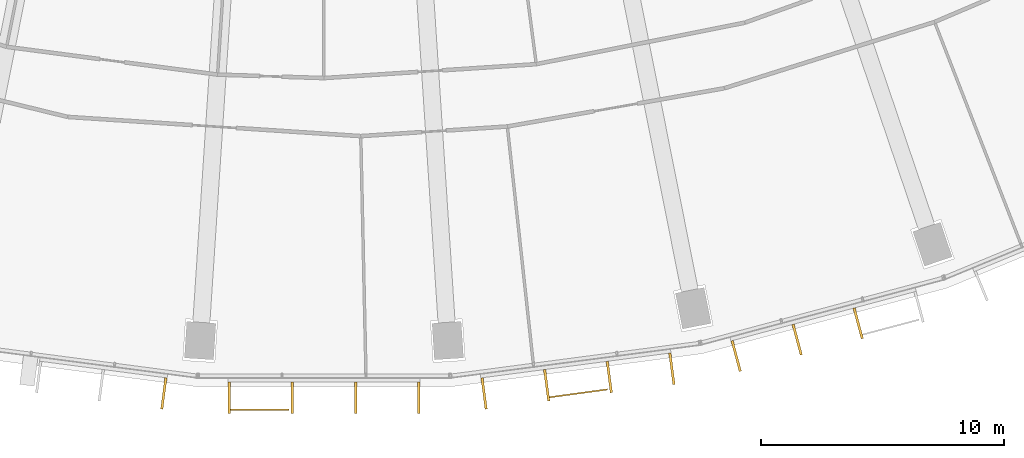
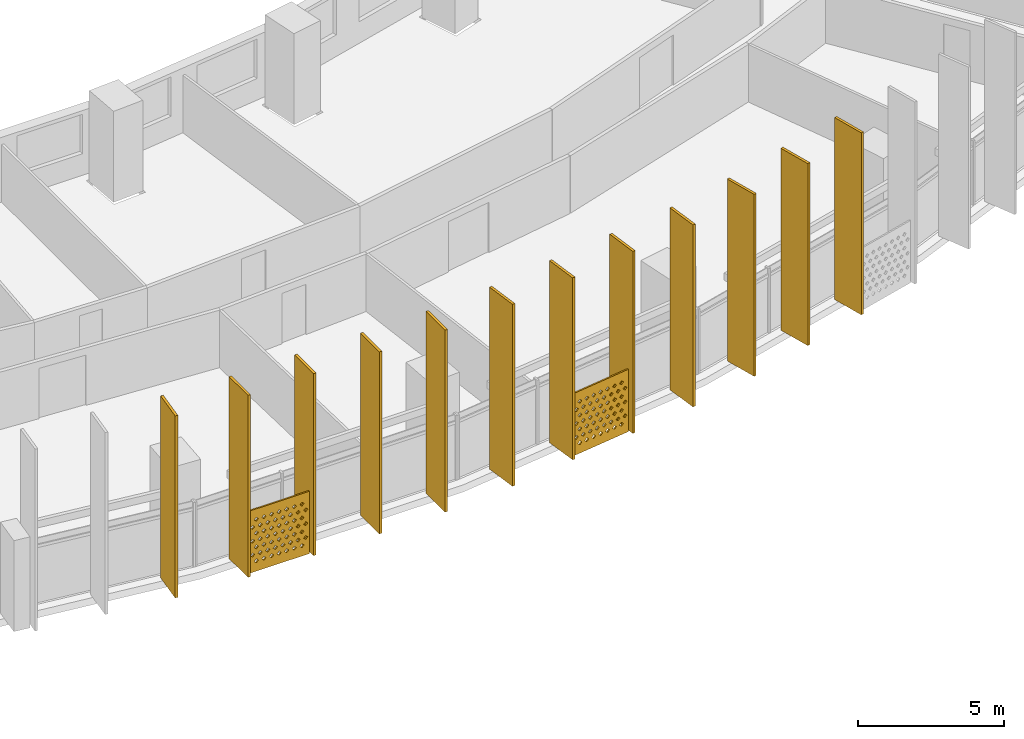
# One storey, part 28 of 33: 14 shading devices.
"""IFC4 building model written with IfcOpenShell, lengths in metres."""

from ifc_helpers import new_model, si_unit, direction, frame, origin, origin_2d, place, context, subcontext, project, spatial, polyline, rectangle, outline, extrude, material, material_profile, profile_set, type_object, element, save


model = new_model("IFC4")

# Units and contexts
model_context = context("Model", 3, precision=1e-05, world=origin(), true_north=direction((0.0, 1.0)))
body_context = subcontext(model_context, "Body", "Model", "MODEL_VIEW")
ifc_project = project(units=[si_unit("LENGTHUNIT", "METRE"), si_unit("AREAUNIT", "SQUARE_METRE"), si_unit("VOLUMEUNIT", "CUBIC_METRE"), si_unit("PLANEANGLEUNIT", "RADIAN"), si_unit("MASSUNIT", "GRAM", prefix="KILO")], contexts=[model_context])

# Site, building, storey
site_placement = place(None, origin())
site = spatial("IfcSite", under=ifc_project, at=site_placement, CompositionType="ELEMENT")
building_placement = place(site_placement, origin())
building = spatial("IfcBuilding", under=site, at=building_placement, Name="Qamariyya Broadcast Tower", CompositionType="ELEMENT")
storey_placement = place(building_placement, frame((0.0, 0.0, 94.89990234375)))
storey = spatial("IfcBuildingStorey", under=building, at=storey_placement, Name="L20", CompositionType="ELEMENT", Elevation=94.89990234375)

# Shading devices
ifc_material_1 = material(Name="Perforated glazed terracotta", Category="masonry")
ifc_material_profile_1 = material_profile(ifc_material_1, outline(polyline([(-1.199951171875, -1.300048828125), (1.199951171875, -1.300048828125), (1.199951171875, 1.300048828125), (-1.199951171875, 1.300048828125), (-1.199951171875, -1.300048828125)]), holes=[polyline([(-0.81494140625, -0.86669921875), (-0.89990234375, -0.78173828125), (-0.985107421875, -0.86669921875), (-0.89990234375, -0.95166015625), (-0.81494140625, -0.86669921875)]), polyline([(-0.514892578125, -0.86669921875), (-0.60009765625, -0.78173828125), (-0.68505859375, -0.86669921875), (-0.60009765625, -0.95166015625), (-0.514892578125, -0.86669921875)]), polyline([(-0.215087890625, -0.86669921875), (-0.300048828125, -0.78173828125), (-0.385009765625, -0.86669921875), (-0.300048828125, -0.95166015625), (-0.215087890625, -0.86669921875)]), polyline([(0.0849609375, -0.86669921875), (0.0, -0.78173828125), (-0.0849609375, -0.86669921875), (0.0, -0.95166015625), (0.0849609375, -0.86669921875)]), polyline([(0.385009765625, -0.86669921875), (0.300048828125, -0.78173828125), (0.215087890625, -0.86669921875), (0.300048828125, -0.95166015625), (0.385009765625, -0.86669921875)]), polyline([(0.68505859375, -0.86669921875), (0.60009765625, -0.78173828125), (0.514892578125, -0.86669921875), (0.60009765625, -0.95166015625), (0.68505859375, -0.86669921875)]), polyline([(0.985107421875, -0.86669921875), (0.89990234375, -0.78173828125), (0.81494140625, -0.86669921875), (0.89990234375, -0.95166015625), (0.985107421875, -0.86669921875)]), polyline([(-0.965087890625, -0.577880859375), (-1.050048828125, -0.49267578125), (-1.135009765625, -0.577880859375), (-1.050048828125, -0.662841796875), (-0.965087890625, -0.577880859375)]), polyline([(-0.6650390625, -0.577880859375), (-0.75, -0.49267578125), (-0.8349609375, -0.577880859375), (-0.75, -0.662841796875), (-0.6650390625, -0.577880859375)]), polyline([(-0.364990234375, -0.577880859375), (-0.449951171875, -0.49267578125), (-0.534912109375, -0.577880859375), (-0.449951171875, -0.662841796875), (-0.364990234375, -0.577880859375)]), polyline([(-0.06494140625, -0.577880859375), (-0.14990234375, -0.49267578125), (-0.235107421875, -0.577880859375), (-0.14990234375, -0.662841796875), (-0.06494140625, -0.577880859375)]), polyline([(0.235107421875, -0.577880859375), (0.14990234375, -0.49267578125), (0.06494140625, -0.577880859375), (0.14990234375, -0.662841796875), (0.235107421875, -0.577880859375)]), polyline([(0.534912109375, -0.577880859375), (0.449951171875, -0.49267578125), (0.364990234375, -0.577880859375), (0.449951171875, -0.662841796875), (0.534912109375, -0.577880859375)]), polyline([(0.8349609375, -0.577880859375), (0.75, -0.49267578125), (0.6650390625, -0.577880859375), (0.75, -0.662841796875), (0.8349609375, -0.577880859375)]), polyline([(1.135009765625, -0.577880859375), (1.050048828125, -0.49267578125), (0.965087890625, -0.577880859375), (1.050048828125, -0.662841796875), (1.135009765625, -0.577880859375)]), polyline([(-0.81494140625, -0.288818359375), (-0.89990234375, -0.203857421875), (-0.985107421875, -0.288818359375), (-0.89990234375, -0.373779296875), (-0.81494140625, -0.288818359375)]), polyline([(-0.514892578125, -0.288818359375), (-0.60009765625, -0.203857421875), (-0.68505859375, -0.288818359375), (-0.60009765625, -0.373779296875), (-0.514892578125, -0.288818359375)]), polyline([(-0.215087890625, -0.288818359375), (-0.300048828125, -0.203857421875), (-0.385009765625, -0.288818359375), (-0.300048828125, -0.373779296875), (-0.215087890625, -0.288818359375)]), polyline([(0.0849609375, -0.288818359375), (0.0, -0.203857421875), (-0.0849609375, -0.288818359375), (0.0, -0.373779296875), (0.0849609375, -0.288818359375)]), polyline([(0.385009765625, -0.288818359375), (0.300048828125, -0.203857421875), (0.215087890625, -0.288818359375), (0.300048828125, -0.373779296875), (0.385009765625, -0.288818359375)]), polyline([(0.68505859375, -0.288818359375), (0.60009765625, -0.203857421875), (0.514892578125, -0.288818359375), (0.60009765625, -0.373779296875), (0.68505859375, -0.288818359375)]), polyline([(0.985107421875, -0.288818359375), (0.89990234375, -0.203857421875), (0.81494140625, -0.288818359375), (0.89990234375, -0.373779296875), (0.985107421875, -0.288818359375)]), polyline([(-0.965087890625, 0.0), (-1.050048828125, 0.0849609375), (-1.135009765625, 0.0), (-1.050048828125, -0.0849609375), (-0.965087890625, 0.0)]), polyline([(-0.6650390625, 0.0), (-0.75, 0.0849609375), (-0.8349609375, 0.0), (-0.75, -0.0849609375), (-0.6650390625, 0.0)]), polyline([(-0.364990234375, 0.0), (-0.449951171875, 0.0849609375), (-0.534912109375, 0.0), (-0.449951171875, -0.0849609375), (-0.364990234375, 0.0)]), polyline([(-0.06494140625, 0.0), (-0.14990234375, 0.0849609375), (-0.235107421875, 0.0), (-0.14990234375, -0.0849609375), (-0.06494140625, 0.0)]), polyline([(0.235107421875, 0.0), (0.14990234375, 0.0849609375), (0.06494140625, 0.0), (0.14990234375, -0.0849609375), (0.235107421875, 0.0)]), polyline([(0.534912109375, 0.0), (0.449951171875, 0.0849609375), (0.364990234375, 0.0), (0.449951171875, -0.0849609375), (0.534912109375, 0.0)]), polyline([(0.8349609375, 0.0), (0.75, 0.0849609375), (0.6650390625, 0.0), (0.75, -0.0849609375), (0.8349609375, 0.0)]), polyline([(1.135009765625, 0.0), (1.050048828125, 0.0849609375), (0.965087890625, 0.0), (1.050048828125, -0.0849609375), (1.135009765625, 0.0)]), polyline([(-0.81494140625, 0.288818359375), (-0.89990234375, 0.373779296875), (-0.985107421875, 0.288818359375), (-0.89990234375, 0.203857421875), (-0.81494140625, 0.288818359375)]), polyline([(-0.514892578125, 0.288818359375), (-0.60009765625, 0.373779296875), (-0.68505859375, 0.288818359375), (-0.60009765625, 0.203857421875), (-0.514892578125, 0.288818359375)]), polyline([(-0.215087890625, 0.288818359375), (-0.300048828125, 0.373779296875), (-0.385009765625, 0.288818359375), (-0.300048828125, 0.203857421875), (-0.215087890625, 0.288818359375)]), polyline([(0.0849609375, 0.288818359375), (0.0, 0.373779296875), (-0.0849609375, 0.288818359375), (0.0, 0.203857421875), (0.0849609375, 0.288818359375)]), polyline([(0.385009765625, 0.288818359375), (0.300048828125, 0.373779296875), (0.215087890625, 0.288818359375), (0.300048828125, 0.203857421875), (0.385009765625, 0.288818359375)]), polyline([(0.68505859375, 0.288818359375), (0.60009765625, 0.373779296875), (0.514892578125, 0.288818359375), (0.60009765625, 0.203857421875), (0.68505859375, 0.288818359375)]), polyline([(0.985107421875, 0.288818359375), (0.89990234375, 0.373779296875), (0.81494140625, 0.288818359375), (0.89990234375, 0.203857421875), (0.985107421875, 0.288818359375)]), polyline([(-0.965087890625, 0.577880859375), (-1.050048828125, 0.662841796875), (-1.135009765625, 0.577880859375), (-1.050048828125, 0.49267578125), (-0.965087890625, 0.577880859375)]), polyline([(-0.6650390625, 0.577880859375), (-0.75, 0.662841796875), (-0.8349609375, 0.577880859375), (-0.75, 0.49267578125), (-0.6650390625, 0.577880859375)]), polyline([(-0.364990234375, 0.577880859375), (-0.449951171875, 0.662841796875), (-0.534912109375, 0.577880859375), (-0.449951171875, 0.49267578125), (-0.364990234375, 0.577880859375)]), polyline([(-0.06494140625, 0.577880859375), (-0.14990234375, 0.662841796875), (-0.235107421875, 0.577880859375), (-0.14990234375, 0.49267578125), (-0.06494140625, 0.577880859375)]), polyline([(0.235107421875, 0.577880859375), (0.14990234375, 0.662841796875), (0.06494140625, 0.577880859375), (0.14990234375, 0.49267578125), (0.235107421875, 0.577880859375)]), polyline([(0.534912109375, 0.577880859375), (0.449951171875, 0.662841796875), (0.364990234375, 0.577880859375), (0.449951171875, 0.49267578125), (0.534912109375, 0.577880859375)]), polyline([(0.8349609375, 0.577880859375), (0.75, 0.662841796875), (0.6650390625, 0.577880859375), (0.75, 0.49267578125), (0.8349609375, 0.577880859375)]), polyline([(1.135009765625, 0.577880859375), (1.050048828125, 0.662841796875), (0.965087890625, 0.577880859375), (1.050048828125, 0.49267578125), (1.135009765625, 0.577880859375)]), polyline([(-0.81494140625, 0.86669921875), (-0.89990234375, 0.95166015625), (-0.985107421875, 0.86669921875), (-0.89990234375, 0.78173828125), (-0.81494140625, 0.86669921875)]), polyline([(-0.514892578125, 0.86669921875), (-0.60009765625, 0.95166015625), (-0.68505859375, 0.86669921875), (-0.60009765625, 0.78173828125), (-0.514892578125, 0.86669921875)]), polyline([(-0.215087890625, 0.86669921875), (-0.300048828125, 0.95166015625), (-0.385009765625, 0.86669921875), (-0.300048828125, 0.78173828125), (-0.215087890625, 0.86669921875)]), polyline([(0.0849609375, 0.86669921875), (0.0, 0.95166015625), (-0.0849609375, 0.86669921875), (0.0, 0.78173828125), (0.0849609375, 0.86669921875)]), polyline([(0.385009765625, 0.86669921875), (0.300048828125, 0.95166015625), (0.215087890625, 0.86669921875), (0.300048828125, 0.78173828125), (0.385009765625, 0.86669921875)]), polyline([(0.68505859375, 0.86669921875), (0.60009765625, 0.95166015625), (0.514892578125, 0.86669921875), (0.60009765625, 0.78173828125), (0.68505859375, 0.86669921875)]), polyline([(0.985107421875, 0.86669921875), (0.89990234375, 0.95166015625), (0.81494140625, 0.86669921875), (0.89990234375, 0.78173828125), (0.985107421875, 0.86669921875)])]))
ifc_profile_set_1 = profile_set([ifc_material_profile_1], Name="Perforated glazed terracotta")
shading_device_type_1 = type_object("IfcShadingDeviceType", Name="Perforated terracotta screen 2400 x 2600", PredefinedType="USERDEFINED", material=ifc_profile_set_1)
shading_device_1_placement = place(storey_placement, frame((-2.639892578125, -80.400146484375, 1.35009765625), z_axis=(0.0, -1.0, 0.0), x_axis=(1.0, 0.0, 0.0)))
element("IfcShadingDevice", 1, at=shading_device_1_placement, inside=storey, type_object=shading_device_type_1, Name="e-scr-L20-09-0", ObjectType="SCREEN", PredefinedType="USERDEFINED", context=body_context, shape_type="SweptSolid", body=[
    extrude(outline(polyline([(-1.199951171875, -1.300048828125), (1.199951171875, -1.300048828125), (1.199951171875, 1.300048828125), (-1.199951171875, 1.300048828125), (-1.199951171875, -1.300048828125)]), holes=[polyline([(-0.81494140625, -0.86669921875), (-0.89990234375, -0.78173828125), (-0.985107421875, -0.86669921875), (-0.89990234375, -0.95166015625), (-0.81494140625, -0.86669921875)]), polyline([(-0.514892578125, -0.86669921875), (-0.60009765625, -0.78173828125), (-0.68505859375, -0.86669921875), (-0.60009765625, -0.95166015625), (-0.514892578125, -0.86669921875)]), polyline([(-0.215087890625, -0.86669921875), (-0.300048828125, -0.78173828125), (-0.385009765625, -0.86669921875), (-0.300048828125, -0.95166015625), (-0.215087890625, -0.86669921875)]), polyline([(0.0849609375, -0.86669921875), (0.0, -0.78173828125), (-0.0849609375, -0.86669921875), (0.0, -0.95166015625), (0.0849609375, -0.86669921875)]), polyline([(0.385009765625, -0.86669921875), (0.300048828125, -0.78173828125), (0.215087890625, -0.86669921875), (0.300048828125, -0.95166015625), (0.385009765625, -0.86669921875)]), polyline([(0.68505859375, -0.86669921875), (0.60009765625, -0.78173828125), (0.514892578125, -0.86669921875), (0.60009765625, -0.95166015625), (0.68505859375, -0.86669921875)]), polyline([(0.985107421875, -0.86669921875), (0.89990234375, -0.78173828125), (0.81494140625, -0.86669921875), (0.89990234375, -0.95166015625), (0.985107421875, -0.86669921875)]), polyline([(-0.965087890625, -0.577880859375), (-1.050048828125, -0.49267578125), (-1.135009765625, -0.577880859375), (-1.050048828125, -0.662841796875), (-0.965087890625, -0.577880859375)]), polyline([(-0.6650390625, -0.577880859375), (-0.75, -0.49267578125), (-0.8349609375, -0.577880859375), (-0.75, -0.662841796875), (-0.6650390625, -0.577880859375)]), polyline([(-0.364990234375, -0.577880859375), (-0.449951171875, -0.49267578125), (-0.534912109375, -0.577880859375), (-0.449951171875, -0.662841796875), (-0.364990234375, -0.577880859375)]), polyline([(-0.06494140625, -0.577880859375), (-0.14990234375, -0.49267578125), (-0.235107421875, -0.577880859375), (-0.14990234375, -0.662841796875), (-0.06494140625, -0.577880859375)]), polyline([(0.235107421875, -0.577880859375), (0.14990234375, -0.49267578125), (0.06494140625, -0.577880859375), (0.14990234375, -0.662841796875), (0.235107421875, -0.577880859375)]), polyline([(0.534912109375, -0.577880859375), (0.449951171875, -0.49267578125), (0.364990234375, -0.577880859375), (0.449951171875, -0.662841796875), (0.534912109375, -0.577880859375)]), polyline([(0.8349609375, -0.577880859375), (0.75, -0.49267578125), (0.6650390625, -0.577880859375), (0.75, -0.662841796875), (0.8349609375, -0.577880859375)]), polyline([(1.135009765625, -0.577880859375), (1.050048828125, -0.49267578125), (0.965087890625, -0.577880859375), (1.050048828125, -0.662841796875), (1.135009765625, -0.577880859375)]), polyline([(-0.81494140625, -0.288818359375), (-0.89990234375, -0.203857421875), (-0.985107421875, -0.288818359375), (-0.89990234375, -0.373779296875), (-0.81494140625, -0.288818359375)]), polyline([(-0.514892578125, -0.288818359375), (-0.60009765625, -0.203857421875), (-0.68505859375, -0.288818359375), (-0.60009765625, -0.373779296875), (-0.514892578125, -0.288818359375)]), polyline([(-0.215087890625, -0.288818359375), (-0.300048828125, -0.203857421875), (-0.385009765625, -0.288818359375), (-0.300048828125, -0.373779296875), (-0.215087890625, -0.288818359375)]), polyline([(0.0849609375, -0.288818359375), (0.0, -0.203857421875), (-0.0849609375, -0.288818359375), (0.0, -0.373779296875), (0.0849609375, -0.288818359375)]), polyline([(0.385009765625, -0.288818359375), (0.300048828125, -0.203857421875), (0.215087890625, -0.288818359375), (0.300048828125, -0.373779296875), (0.385009765625, -0.288818359375)]), polyline([(0.68505859375, -0.288818359375), (0.60009765625, -0.203857421875), (0.514892578125, -0.288818359375), (0.60009765625, -0.373779296875), (0.68505859375, -0.288818359375)]), polyline([(0.985107421875, -0.288818359375), (0.89990234375, -0.203857421875), (0.81494140625, -0.288818359375), (0.89990234375, -0.373779296875), (0.985107421875, -0.288818359375)]), polyline([(-0.965087890625, 0.0), (-1.050048828125, 0.0849609375), (-1.135009765625, 0.0), (-1.050048828125, -0.0849609375), (-0.965087890625, 0.0)]), polyline([(-0.6650390625, 0.0), (-0.75, 0.0849609375), (-0.8349609375, 0.0), (-0.75, -0.0849609375), (-0.6650390625, 0.0)]), polyline([(-0.364990234375, 0.0), (-0.449951171875, 0.0849609375), (-0.534912109375, 0.0), (-0.449951171875, -0.0849609375), (-0.364990234375, 0.0)]), polyline([(-0.06494140625, 0.0), (-0.14990234375, 0.0849609375), (-0.235107421875, 0.0), (-0.14990234375, -0.0849609375), (-0.06494140625, 0.0)]), polyline([(0.235107421875, 0.0), (0.14990234375, 0.0849609375), (0.06494140625, 0.0), (0.14990234375, -0.0849609375), (0.235107421875, 0.0)]), polyline([(0.534912109375, 0.0), (0.449951171875, 0.0849609375), (0.364990234375, 0.0), (0.449951171875, -0.0849609375), (0.534912109375, 0.0)]), polyline([(0.8349609375, 0.0), (0.75, 0.0849609375), (0.6650390625, 0.0), (0.75, -0.0849609375), (0.8349609375, 0.0)]), polyline([(1.135009765625, 0.0), (1.050048828125, 0.0849609375), (0.965087890625, 0.0), (1.050048828125, -0.0849609375), (1.135009765625, 0.0)]), polyline([(-0.81494140625, 0.288818359375), (-0.89990234375, 0.373779296875), (-0.985107421875, 0.288818359375), (-0.89990234375, 0.203857421875), (-0.81494140625, 0.288818359375)]), polyline([(-0.514892578125, 0.288818359375), (-0.60009765625, 0.373779296875), (-0.68505859375, 0.288818359375), (-0.60009765625, 0.203857421875), (-0.514892578125, 0.288818359375)]), polyline([(-0.215087890625, 0.288818359375), (-0.300048828125, 0.373779296875), (-0.385009765625, 0.288818359375), (-0.300048828125, 0.203857421875), (-0.215087890625, 0.288818359375)]), polyline([(0.0849609375, 0.288818359375), (0.0, 0.373779296875), (-0.0849609375, 0.288818359375), (0.0, 0.203857421875), (0.0849609375, 0.288818359375)]), polyline([(0.385009765625, 0.288818359375), (0.300048828125, 0.373779296875), (0.215087890625, 0.288818359375), (0.300048828125, 0.203857421875), (0.385009765625, 0.288818359375)]), polyline([(0.68505859375, 0.288818359375), (0.60009765625, 0.373779296875), (0.514892578125, 0.288818359375), (0.60009765625, 0.203857421875), (0.68505859375, 0.288818359375)]), polyline([(0.985107421875, 0.288818359375), (0.89990234375, 0.373779296875), (0.81494140625, 0.288818359375), (0.89990234375, 0.203857421875), (0.985107421875, 0.288818359375)]), polyline([(-0.965087890625, 0.577880859375), (-1.050048828125, 0.662841796875), (-1.135009765625, 0.577880859375), (-1.050048828125, 0.49267578125), (-0.965087890625, 0.577880859375)]), polyline([(-0.6650390625, 0.577880859375), (-0.75, 0.662841796875), (-0.8349609375, 0.577880859375), (-0.75, 0.49267578125), (-0.6650390625, 0.577880859375)]), polyline([(-0.364990234375, 0.577880859375), (-0.449951171875, 0.662841796875), (-0.534912109375, 0.577880859375), (-0.449951171875, 0.49267578125), (-0.364990234375, 0.577880859375)]), polyline([(-0.06494140625, 0.577880859375), (-0.14990234375, 0.662841796875), (-0.235107421875, 0.577880859375), (-0.14990234375, 0.49267578125), (-0.06494140625, 0.577880859375)]), polyline([(0.235107421875, 0.577880859375), (0.14990234375, 0.662841796875), (0.06494140625, 0.577880859375), (0.14990234375, 0.49267578125), (0.235107421875, 0.577880859375)]), polyline([(0.534912109375, 0.577880859375), (0.449951171875, 0.662841796875), (0.364990234375, 0.577880859375), (0.449951171875, 0.49267578125), (0.534912109375, 0.577880859375)]), polyline([(0.8349609375, 0.577880859375), (0.75, 0.662841796875), (0.6650390625, 0.577880859375), (0.75, 0.49267578125), (0.8349609375, 0.577880859375)]), polyline([(1.135009765625, 0.577880859375), (1.050048828125, 0.662841796875), (0.965087890625, 0.577880859375), (1.050048828125, 0.49267578125), (1.135009765625, 0.577880859375)]), polyline([(-0.81494140625, 0.86669921875), (-0.89990234375, 0.95166015625), (-0.985107421875, 0.86669921875), (-0.89990234375, 0.78173828125), (-0.81494140625, 0.86669921875)]), polyline([(-0.514892578125, 0.86669921875), (-0.60009765625, 0.95166015625), (-0.68505859375, 0.86669921875), (-0.60009765625, 0.78173828125), (-0.514892578125, 0.86669921875)]), polyline([(-0.215087890625, 0.86669921875), (-0.300048828125, 0.95166015625), (-0.385009765625, 0.86669921875), (-0.300048828125, 0.78173828125), (-0.215087890625, 0.86669921875)]), polyline([(0.0849609375, 0.86669921875), (0.0, 0.95166015625), (-0.0849609375, 0.86669921875), (0.0, 0.78173828125), (0.0849609375, 0.86669921875)]), polyline([(0.385009765625, 0.86669921875), (0.300048828125, 0.95166015625), (0.215087890625, 0.86669921875), (0.300048828125, 0.78173828125), (0.385009765625, 0.86669921875)]), polyline([(0.68505859375, 0.86669921875), (0.60009765625, 0.95166015625), (0.514892578125, 0.86669921875), (0.60009765625, 0.78173828125), (0.68505859375, 0.86669921875)]), polyline([(0.985107421875, 0.86669921875), (0.89990234375, 0.95166015625), (0.81494140625, 0.86669921875), (0.89990234375, 0.78173828125), (0.985107421875, 0.86669921875)])]), origin(), (0.0, 0.0, 1.0), 0.06005859375),
])
shading_device_2_placement = place(storey_placement, frame((10.447998046875, -79.718505859375, 1.35009765625), z_axis=(0.13456727237, -0.990904460181, 0.0), x_axis=(0.990904460181, 0.13456727237, 0.0)))
element("IfcShadingDevice", 2, at=shading_device_2_placement, inside=storey, type_object=shading_device_type_1, Name="e-scr-L20-10-1", ObjectType="SCREEN", PredefinedType="USERDEFINED", context=body_context, shape_type="SweptSolid", body=[
    extrude(outline(polyline([(-1.199951171875, -1.300048828125), (1.199951171875, -1.300048828125), (1.199951171875, 1.300048828125), (-1.199951171875, 1.300048828125), (-1.199951171875, -1.300048828125)]), holes=[polyline([(-0.81494140625, -0.86669921875), (-0.89990234375, -0.78173828125), (-0.985107421875, -0.86669921875), (-0.89990234375, -0.95166015625), (-0.81494140625, -0.86669921875)]), polyline([(-0.514892578125, -0.86669921875), (-0.60009765625, -0.78173828125), (-0.68505859375, -0.86669921875), (-0.60009765625, -0.95166015625), (-0.514892578125, -0.86669921875)]), polyline([(-0.215087890625, -0.86669921875), (-0.300048828125, -0.78173828125), (-0.385009765625, -0.86669921875), (-0.300048828125, -0.95166015625), (-0.215087890625, -0.86669921875)]), polyline([(0.0849609375, -0.86669921875), (0.0, -0.78173828125), (-0.0849609375, -0.86669921875), (0.0, -0.95166015625), (0.0849609375, -0.86669921875)]), polyline([(0.385009765625, -0.86669921875), (0.300048828125, -0.78173828125), (0.215087890625, -0.86669921875), (0.300048828125, -0.95166015625), (0.385009765625, -0.86669921875)]), polyline([(0.68505859375, -0.86669921875), (0.60009765625, -0.78173828125), (0.514892578125, -0.86669921875), (0.60009765625, -0.95166015625), (0.68505859375, -0.86669921875)]), polyline([(0.985107421875, -0.86669921875), (0.89990234375, -0.78173828125), (0.81494140625, -0.86669921875), (0.89990234375, -0.95166015625), (0.985107421875, -0.86669921875)]), polyline([(-0.965087890625, -0.577880859375), (-1.050048828125, -0.49267578125), (-1.135009765625, -0.577880859375), (-1.050048828125, -0.662841796875), (-0.965087890625, -0.577880859375)]), polyline([(-0.6650390625, -0.577880859375), (-0.75, -0.49267578125), (-0.8349609375, -0.577880859375), (-0.75, -0.662841796875), (-0.6650390625, -0.577880859375)]), polyline([(-0.364990234375, -0.577880859375), (-0.449951171875, -0.49267578125), (-0.534912109375, -0.577880859375), (-0.449951171875, -0.662841796875), (-0.364990234375, -0.577880859375)]), polyline([(-0.06494140625, -0.577880859375), (-0.14990234375, -0.49267578125), (-0.235107421875, -0.577880859375), (-0.14990234375, -0.662841796875), (-0.06494140625, -0.577880859375)]), polyline([(0.235107421875, -0.577880859375), (0.14990234375, -0.49267578125), (0.06494140625, -0.577880859375), (0.14990234375, -0.662841796875), (0.235107421875, -0.577880859375)]), polyline([(0.534912109375, -0.577880859375), (0.449951171875, -0.49267578125), (0.364990234375, -0.577880859375), (0.449951171875, -0.662841796875), (0.534912109375, -0.577880859375)]), polyline([(0.8349609375, -0.577880859375), (0.75, -0.49267578125), (0.6650390625, -0.577880859375), (0.75, -0.662841796875), (0.8349609375, -0.577880859375)]), polyline([(1.135009765625, -0.577880859375), (1.050048828125, -0.49267578125), (0.965087890625, -0.577880859375), (1.050048828125, -0.662841796875), (1.135009765625, -0.577880859375)]), polyline([(-0.81494140625, -0.288818359375), (-0.89990234375, -0.203857421875), (-0.985107421875, -0.288818359375), (-0.89990234375, -0.373779296875), (-0.81494140625, -0.288818359375)]), polyline([(-0.514892578125, -0.288818359375), (-0.60009765625, -0.203857421875), (-0.68505859375, -0.288818359375), (-0.60009765625, -0.373779296875), (-0.514892578125, -0.288818359375)]), polyline([(-0.215087890625, -0.288818359375), (-0.300048828125, -0.203857421875), (-0.385009765625, -0.288818359375), (-0.300048828125, -0.373779296875), (-0.215087890625, -0.288818359375)]), polyline([(0.0849609375, -0.288818359375), (0.0, -0.203857421875), (-0.0849609375, -0.288818359375), (0.0, -0.373779296875), (0.0849609375, -0.288818359375)]), polyline([(0.385009765625, -0.288818359375), (0.300048828125, -0.203857421875), (0.215087890625, -0.288818359375), (0.300048828125, -0.373779296875), (0.385009765625, -0.288818359375)]), polyline([(0.68505859375, -0.288818359375), (0.60009765625, -0.203857421875), (0.514892578125, -0.288818359375), (0.60009765625, -0.373779296875), (0.68505859375, -0.288818359375)]), polyline([(0.985107421875, -0.288818359375), (0.89990234375, -0.203857421875), (0.81494140625, -0.288818359375), (0.89990234375, -0.373779296875), (0.985107421875, -0.288818359375)]), polyline([(-0.965087890625, 0.0), (-1.050048828125, 0.0849609375), (-1.135009765625, 0.0), (-1.050048828125, -0.0849609375), (-0.965087890625, 0.0)]), polyline([(-0.6650390625, 0.0), (-0.75, 0.0849609375), (-0.8349609375, 0.0), (-0.75, -0.0849609375), (-0.6650390625, 0.0)]), polyline([(-0.364990234375, 0.0), (-0.449951171875, 0.0849609375), (-0.534912109375, 0.0), (-0.449951171875, -0.0849609375), (-0.364990234375, 0.0)]), polyline([(-0.06494140625, 0.0), (-0.14990234375, 0.0849609375), (-0.235107421875, 0.0), (-0.14990234375, -0.0849609375), (-0.06494140625, 0.0)]), polyline([(0.235107421875, 0.0), (0.14990234375, 0.0849609375), (0.06494140625, 0.0), (0.14990234375, -0.0849609375), (0.235107421875, 0.0)]), polyline([(0.534912109375, 0.0), (0.449951171875, 0.0849609375), (0.364990234375, 0.0), (0.449951171875, -0.0849609375), (0.534912109375, 0.0)]), polyline([(0.8349609375, 0.0), (0.75, 0.0849609375), (0.6650390625, 0.0), (0.75, -0.0849609375), (0.8349609375, 0.0)]), polyline([(1.135009765625, 0.0), (1.050048828125, 0.0849609375), (0.965087890625, 0.0), (1.050048828125, -0.0849609375), (1.135009765625, 0.0)]), polyline([(-0.81494140625, 0.288818359375), (-0.89990234375, 0.373779296875), (-0.985107421875, 0.288818359375), (-0.89990234375, 0.203857421875), (-0.81494140625, 0.288818359375)]), polyline([(-0.514892578125, 0.288818359375), (-0.60009765625, 0.373779296875), (-0.68505859375, 0.288818359375), (-0.60009765625, 0.203857421875), (-0.514892578125, 0.288818359375)]), polyline([(-0.215087890625, 0.288818359375), (-0.300048828125, 0.373779296875), (-0.385009765625, 0.288818359375), (-0.300048828125, 0.203857421875), (-0.215087890625, 0.288818359375)]), polyline([(0.0849609375, 0.288818359375), (0.0, 0.373779296875), (-0.0849609375, 0.288818359375), (0.0, 0.203857421875), (0.0849609375, 0.288818359375)]), polyline([(0.385009765625, 0.288818359375), (0.300048828125, 0.373779296875), (0.215087890625, 0.288818359375), (0.300048828125, 0.203857421875), (0.385009765625, 0.288818359375)]), polyline([(0.68505859375, 0.288818359375), (0.60009765625, 0.373779296875), (0.514892578125, 0.288818359375), (0.60009765625, 0.203857421875), (0.68505859375, 0.288818359375)]), polyline([(0.985107421875, 0.288818359375), (0.89990234375, 0.373779296875), (0.81494140625, 0.288818359375), (0.89990234375, 0.203857421875), (0.985107421875, 0.288818359375)]), polyline([(-0.965087890625, 0.577880859375), (-1.050048828125, 0.662841796875), (-1.135009765625, 0.577880859375), (-1.050048828125, 0.49267578125), (-0.965087890625, 0.577880859375)]), polyline([(-0.6650390625, 0.577880859375), (-0.75, 0.662841796875), (-0.8349609375, 0.577880859375), (-0.75, 0.49267578125), (-0.6650390625, 0.577880859375)]), polyline([(-0.364990234375, 0.577880859375), (-0.449951171875, 0.662841796875), (-0.534912109375, 0.577880859375), (-0.449951171875, 0.49267578125), (-0.364990234375, 0.577880859375)]), polyline([(-0.06494140625, 0.577880859375), (-0.14990234375, 0.662841796875), (-0.235107421875, 0.577880859375), (-0.14990234375, 0.49267578125), (-0.06494140625, 0.577880859375)]), polyline([(0.235107421875, 0.577880859375), (0.14990234375, 0.662841796875), (0.06494140625, 0.577880859375), (0.14990234375, 0.49267578125), (0.235107421875, 0.577880859375)]), polyline([(0.534912109375, 0.577880859375), (0.449951171875, 0.662841796875), (0.364990234375, 0.577880859375), (0.449951171875, 0.49267578125), (0.534912109375, 0.577880859375)]), polyline([(0.8349609375, 0.577880859375), (0.75, 0.662841796875), (0.6650390625, 0.577880859375), (0.75, 0.49267578125), (0.8349609375, 0.577880859375)]), polyline([(1.135009765625, 0.577880859375), (1.050048828125, 0.662841796875), (0.965087890625, 0.577880859375), (1.050048828125, 0.49267578125), (1.135009765625, 0.577880859375)]), polyline([(-0.81494140625, 0.86669921875), (-0.89990234375, 0.95166015625), (-0.985107421875, 0.86669921875), (-0.89990234375, 0.78173828125), (-0.81494140625, 0.86669921875)]), polyline([(-0.514892578125, 0.86669921875), (-0.60009765625, 0.95166015625), (-0.68505859375, 0.86669921875), (-0.60009765625, 0.78173828125), (-0.514892578125, 0.86669921875)]), polyline([(-0.215087890625, 0.86669921875), (-0.300048828125, 0.95166015625), (-0.385009765625, 0.86669921875), (-0.300048828125, 0.78173828125), (-0.215087890625, 0.86669921875)]), polyline([(0.0849609375, 0.86669921875), (0.0, 0.95166015625), (-0.0849609375, 0.86669921875), (0.0, 0.78173828125), (0.0849609375, 0.86669921875)]), polyline([(0.385009765625, 0.86669921875), (0.300048828125, 0.95166015625), (0.215087890625, 0.86669921875), (0.300048828125, 0.78173828125), (0.385009765625, 0.86669921875)]), polyline([(0.68505859375, 0.86669921875), (0.60009765625, 0.95166015625), (0.514892578125, 0.86669921875), (0.60009765625, 0.78173828125), (0.68505859375, 0.86669921875)]), polyline([(0.985107421875, 0.86669921875), (0.89990234375, 0.95166015625), (0.81494140625, 0.86669921875), (0.89990234375, 0.78173828125), (0.985107421875, 0.86669921875)])]), origin(), (0.0, 0.0, 1.0), 0.059814453125),
])
ifc_material_2 = material(Name="Glazed terracotta", Category="masonry")
ifc_material_profile_2 = material_profile(ifc_material_2, rectangle(XDim=1.300048828125, YDim=0.10009765625, at=origin_2d()))
ifc_profile_set_2 = profile_set([ifc_material_profile_2], Name="Glazed terracotta")
shading_device_type_2 = type_object("IfcShadingDeviceType", Name="Terracotta fin 100 x 1300", PredefinedType="USERDEFINED", material=ifc_profile_set_2)
for number, where, z_axis, x_axis, name in (
    (3, (-6.576416015625, -79.754150390625, 0.0), (0.0, 0.0, 1.0), (-0.13052619222, -0.991444861374, 0.0), "e-fin-L20-08-3"),
    (4, (-3.889892578125, -79.93017578125, 0.0), (0.0, 0.0, 1.0), (0.0, -1.0, 0.0), "e-fin-L20-09-0"),
    (5, (-1.296630859375, -79.93017578125, 0.0), (0.0, 0.0, 1.0), (0.0, -1.0, 0.0), "e-fin-L20-09-1"),
    (6, (1.296630859375, -79.93017578125, 0.0), (0.0, 0.0, 1.0), (0.0, -1.0, 0.0), "e-fin-L20-09-2"),
    (7, (3.889892578125, -79.93017578125, 0.0), (0.0, 0.0, 1.0), (0.0, -1.0, 0.0), "e-fin-L20-09-3"),
    (8, (6.576416015625, -79.754150390625, 0.0), (0.0, 0.0, 1.0), (0.13052619222, -0.991444861374, 0.0), "e-fin-L20-10-0"),
    (9, (9.1474609375, -79.41552734375, 0.0), (0.0, 0.0, 1.0), (0.13052619222, -0.991444861374, 0.0), "e-fin-L20-10-1"),
    (10, (11.718505859375, -79.0771484375, 0.0), (0.0, 0.0, 1.0), (0.13052619222, -0.991444861374, 0.0), "e-fin-L20-10-2"),
    (11, (14.28955078125, -78.73876953125, 0.0), (0.0, 0.0, 1.0), (0.13052619222, -0.991444861374, 0.0), "e-fin-L20-10-3"),
    (12, (16.93017578125, -78.21337890625, 0.0), (0.0, 0.0, 1.0), (0.258819045103, -0.965925826289, 0.0), "e-fin-L20-11-0"),
    (13, (19.43505859375, -77.542236328125, 0.0), (0.0, 0.0, 1.0), (0.258819045103, -0.965925826289, 0.0), "e-fin-L20-11-1"),
    (14, (21.93994140625, -76.87109375, 0.0), (0.0, 0.0, 1.0), (0.258819045103, -0.965925826289, 0.0), "e-fin-L20-11-2"),
):
    element("IfcShadingDevice", number, at=place(storey_placement, frame(where, z_axis=z_axis, x_axis=x_axis)), inside=storey, type_object=shading_device_type_2, Name=name, ObjectType="FIN", PredefinedType="USERDEFINED", context=body_context, shape_type="SweptSolid", body=[
        extrude(rectangle(XDim=1.300048828125, YDim=0.10009765625, at=origin_2d()), origin(), (0.0, 0.0, 1.0), 7.60009765625),
    ])

save(model, "model.ifc")
